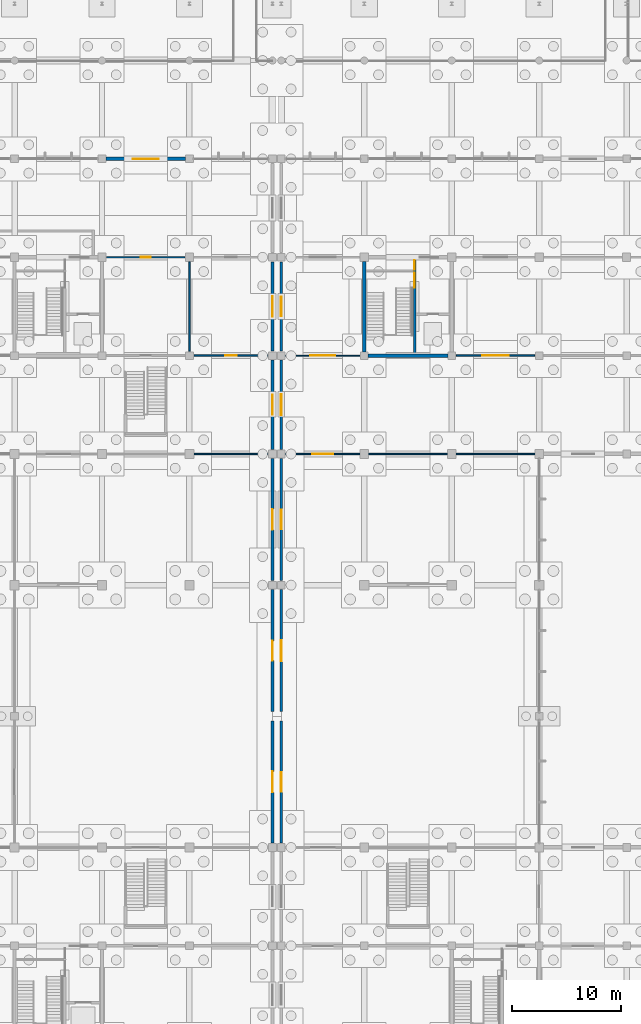
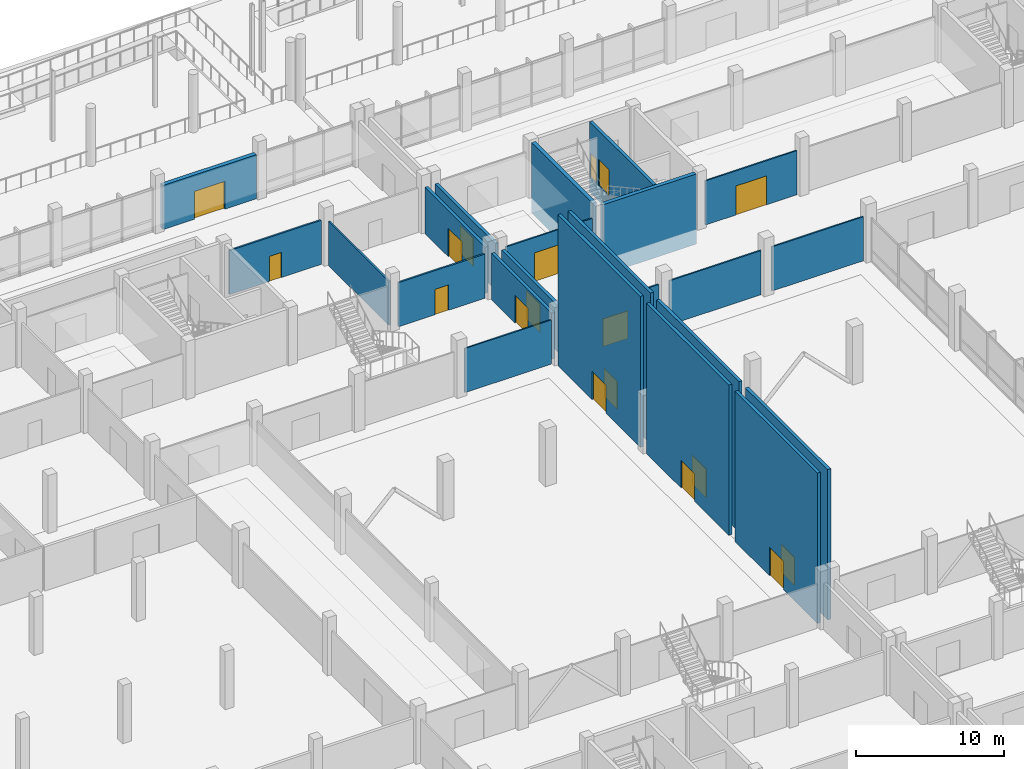
# One storey, part 49 of 72: 23 walls, 18 doors, 18 openings.
"""IFC4 building model written with IfcOpenShell, lengths in metres."""

from ifc_helpers import new_model, si_unit, direction, frame, frame_2d, origin, place, context, subcontext, project, spatial, rectangle, extrude, material, layer, layer_set, type_object, element, fill, save


model = new_model("IFC4")

# Units and contexts
model_context = context("Model", 3, precision=1e-05, world=origin(), true_north=direction((0.0, 1.0)))
body_context = subcontext(model_context, "Body", "Model", "MODEL_VIEW")
ifc_project = project(units=[si_unit("LENGTHUNIT", "METRE"), si_unit("AREAUNIT", "SQUARE_METRE"), si_unit("VOLUMEUNIT", "CUBIC_METRE"), si_unit("PLANEANGLEUNIT", "RADIAN"), si_unit("MASSUNIT", "GRAM", prefix="KILO"), si_unit("THERMODYNAMICTEMPERATUREUNIT", "KELVIN"), si_unit("POWERUNIT", "WATT")], contexts=[model_context])

# Site, building, storey
site_placement = place(None, origin())
site = spatial("IfcSite", under=ifc_project, at=site_placement, CompositionType="ELEMENT")
building_placement = place(site_placement, origin())
building = spatial("IfcBuilding", under=site, at=building_placement, Name="Kronsvod Quay Wholesale Market", CompositionType="ELEMENT")
storey_placement = place(building_placement, origin())
storey = spatial("IfcBuildingStorey", under=building, at=storey_placement, Name="L00", CompositionType="ELEMENT", Elevation=0.0)

# Walls
ifc_material_1 = material(Name="Concrete C35/45", Category="concrete")
ifc_layer_1 = layer(ifc_material_1, 0.300048828125)
ifc_layer_set_1 = layer_set([ifc_layer_1], Name="Concrete C35/45")
wall_type_1 = type_object("IfcWallType", Name="Wall_CoreShear300", PredefinedType="SHEAR", material=ifc_layer_set_1)
wall_1_placement = place(storey_placement, frame((72.344970703125, 99.0, -1.25), z_axis=(0.0, 0.0, 1.0), x_axis=(1.0, 0.0, 0.0)))
element("IfcWall", 1, at=wall_1_placement, inside=storey, type_object=wall_type_1, Name="CW-C08-L00-S", PredefinedType="SHEAR", context=body_context, shape_type="SweptSolid", body=[
    extrude(rectangle(XDim=7.31005859375, YDim=0.300048828125, at=frame_2d((3.655029296875, 0.0))), origin(), (0.0, 0.0, 1.0), 5.804931640625),
])
wall_2_placement = place(storey_placement, frame((72.0, 99.344970703125, -1.25), z_axis=(0.0, 0.0, 1.0), x_axis=(0.0, 1.0, 0.0)))
element("IfcWall", 2, at=wall_2_placement, inside=storey, type_object=wall_type_1, Name="CW-C08-L00-W", PredefinedType="SHEAR", context=body_context, shape_type="SweptSolid", body=[
    extrude(rectangle(XDim=8.284912109375, YDim=0.300048828125, at=frame_2d((4.142578125, 0.0))), origin(), (0.0, 0.0, 1.0), 5.804931640625),
])

# Wall, opening, door
ifc_material_2 = material(Name="Precast concrete C40/50", Category="concrete")
ifc_layer_2 = layer(ifc_material_2, 0.320068359375)
ifc_layer_set_2 = layer_set([ifc_layer_2], Name="Precast concrete C40/50")
wall_type_2 = type_object("IfcWallType", Name="Wall_ExtPrecast320", PredefinedType="SOLIDWALL", material=ifc_layer_set_2)
wall_3_placement = place(storey_placement, frame((55.655029296875, 117.0, 0.0), z_axis=(0.0, 0.0, 1.0), x_axis=(-1.0, 0.0, 0.0)))
wall_3 = element("IfcWall", 3, at=wall_3_placement, inside=storey, type_object=wall_type_2, Name="EW-X-L00-0012", PredefinedType="SOLIDWALL", context=body_context, shape_type="SweptSolid", body=[
    extrude(rectangle(XDim=7.31005859375, YDim=0.320068359375, at=frame_2d((3.655029296875, 0.0))), origin(), (0.0, 0.0, 1.0), 3.64990234375),
])
opening_1_placement = place(wall_3_placement, frame((2.455078125, 0.0, 0.0)))
opening_1 = element("IfcOpeningElement", 4, at=opening_1_placement, cuts=wall_3, Name="Opening ED-010", PredefinedType="OPENING", context=body_context, shape_type="SweptSolid", body=[
    extrude(rectangle(XDim=2.39990234375, YDim=2.300048828125, at=frame_2d((1.199951171875, 1.14990234375))), frame((0.0, 0.169921875, 0.0), z_axis=(0.0, -1.0, 0.0), x_axis=(1.0, 0.0, 0.0)), (0.0, 0.0, 1.0), 0.340087890625),
])
ifc_material_3 = material(Name="Aluminium and safety glass", Category="aluminium")
door_type_1 = type_object("IfcDoorType", Name="Door_ExitDouble240x230", OperationType="DOUBLE_DOOR_SINGLE_SWING", PredefinedType="DOOR", material=ifc_material_3)
door_1_placement = place(opening_1_placement, frame((2.39990234375, 0.0, 0.0), z_axis=(0.0, 0.0, 1.0), x_axis=(-1.0, 0.0, 0.0)))
door_1 = element("IfcDoor", 5, at=door_1_placement, inside=storey, type_object=door_type_1, Name="Harbour Colonnade Exit Door ED-010", OperationType="DOUBLE_DOOR_SINGLE_SWING", OverallHeight=2.300048828125, OverallWidth=2.39990234375, PredefinedType="DOOR", context=body_context, shape_type="SweptSolid", body=[
    extrude(rectangle(XDim=2.39990234375, YDim=2.300048828125, at=frame_2d((1.199951171875, 1.14990234375))), frame((0.0, 0.02490234375, 0.0), z_axis=(0.0, -1.0, 0.0), x_axis=(1.0, 0.0, 0.0)), (0.0, 0.0, 1.0), 0.050048828125),
])
fill(opening_1, door_1)

ifc_material_4 = material(Name="Precast concrete C40/50", Category="concrete")
ifc_layer_3 = layer(ifc_material_4, 0.239990234375)
ifc_layer_set_3 = layer_set([ifc_layer_3], Name="Precast concrete C40/50")
wall_type_3 = type_object("IfcWallType", Name="Wall_ExtSpandrel240", PredefinedType="SOLIDWALL", material=ifc_layer_set_3)
wall_4_placement = place(storey_placement, frame((63.60009765625, 54.419921875, 0.0), z_axis=(0.0, 0.0, 1.0), x_axis=(0.0, 1.0, 0.0)))
wall_4 = element("IfcWall", 6, at=wall_4_placement, inside=storey, type_object=wall_type_3, Name="MJWG-L00-636-540", PredefinedType="SOLIDWALL", context=body_context, shape_type="SweptSolid", body=[
    extrude(rectangle(XDim=11.16015625, YDim=0.239990234375, at=frame_2d((5.580078125, 0.0))), origin(), (0.0, 0.0, 1.0), 12.43408203125),
])
opening_2_placement = place(wall_4_placement, frame((4.6298828125, 0.0, 0.0)))
opening_2 = element("IfcOpeningElement", 7, at=opening_2_placement, cuts=wall_4, Name="Opening D-0317", PredefinedType="OPENING", context=body_context, shape_type="SweptSolid", body=[
    extrude(rectangle(XDim=1.89990234375, YDim=2.35009765625, at=frame_2d((0.949951171875, 1.175048828125))), frame((0.0, 0.1298828125, 0.0), z_axis=(0.0, -1.0, 0.0), x_axis=(1.0, 0.0, 0.0)), (0.0, 0.0, 1.0), 0.260009765625),
])
ifc_material_5 = material(Name="Painted galvanized fire steel", Category="steel")
door_type_2 = type_object("IfcDoorType", Name="Door_FireComp190x235", OperationType="DOUBLE_DOOR_SINGLE_SWING", PredefinedType="DOOR", material=ifc_material_5)
door_2_placement = place(opening_2_placement, origin())
door_2 = element("IfcDoor", 8, at=door_2_placement, inside=storey, type_object=door_type_2, Name="Fire Compartment Door D-0317", OperationType="DOUBLE_DOOR_SINGLE_SWING", OverallHeight=2.35009765625, OverallWidth=1.89990234375, PredefinedType="DOOR", context=body_context, shape_type="SweptSolid", body=[
    extrude(rectangle(XDim=1.89990234375, YDim=2.35009765625, at=frame_2d((0.949951171875, 1.175048828125))), frame((0.0, 0.02490234375, 0.0), z_axis=(0.0, -1.0, 0.0), x_axis=(1.0, 0.0, 0.0)), (0.0, 0.0, 1.0), 0.050048828125),
])
fill(opening_2, door_2)

wall_5_placement = place(storey_placement, frame((63.60009765625, 66.419921875, 0.0), z_axis=(0.0, 0.0, 1.0), x_axis=(0.0, 1.0, 0.0)))
wall_5 = element("IfcWall", 9, at=wall_5_placement, inside=storey, type_object=wall_type_3, Name="MJWG-L00-636-660", PredefinedType="SOLIDWALL", context=body_context, shape_type="SweptSolid", body=[
    extrude(rectangle(XDim=11.16015625, YDim=0.239990234375, at=frame_2d((5.580078125, 0.0))), origin(), (0.0, 0.0, 1.0), 12.43408203125),
])
opening_3_placement = place(wall_5_placement, frame((4.679931640625, 0.0, 0.0)))
opening_3 = element("IfcOpeningElement", 10, at=opening_3_placement, cuts=wall_5, Name="Opening D-0318", PredefinedType="OPENING", context=body_context, shape_type="SweptSolid", body=[
    extrude(rectangle(XDim=1.800048828125, YDim=2.300048828125, at=frame_2d((0.89990234375, 1.14990234375))), frame((0.0, 0.1298828125, 0.0), z_axis=(0.0, -1.0, 0.0), x_axis=(1.0, 0.0, 0.0)), (0.0, 0.0, 1.0), 0.260009765625),
])
ifc_material_6 = material(Name="Painted galvanized fire steel", Category="steel")
door_type_3 = type_object("IfcDoorType", Name="Door_FireComp180x230", OperationType="DOUBLE_DOOR_SINGLE_SWING", PredefinedType="DOOR", material=ifc_material_6)
door_3_placement = place(opening_3_placement, origin())
door_3 = element("IfcDoor", 11, at=door_3_placement, inside=storey, type_object=door_type_3, Name="Fire Compartment Door D-0318", OperationType="DOUBLE_DOOR_SINGLE_SWING", OverallHeight=2.300048828125, OverallWidth=1.800048828125, PredefinedType="DOOR", context=body_context, shape_type="SweptSolid", body=[
    extrude(rectangle(XDim=1.800048828125, YDim=2.300048828125, at=frame_2d((0.89990234375, 1.14990234375))), frame((0.0, 0.02490234375, 0.0), z_axis=(0.0, -1.0, 0.0), x_axis=(1.0, 0.0, 0.0)), (0.0, 0.0, 1.0), 0.050048828125),
])
fill(opening_3, door_3)

wall_6_placement = place(storey_placement, frame((63.60009765625, 78.419921875, 0.0), z_axis=(0.0, 0.0, 1.0), x_axis=(0.0, 1.0, 0.0)))
wall_6 = element("IfcWall", 12, at=wall_6_placement, inside=storey, type_object=wall_type_3, Name="MJWG-L00-636-780", PredefinedType="SOLIDWALL", context=body_context, shape_type="SweptSolid", body=[
    extrude(rectangle(XDim=11.16015625, YDim=0.239990234375, at=frame_2d((5.580078125, 0.0))), origin(), (0.0, 0.0, 1.0), 12.48388671875),
])
opening_4_placement = place(wall_6_placement, frame((4.6298828125, 0.0, 0.0)))
opening_4 = element("IfcOpeningElement", 13, at=opening_4_placement, cuts=wall_6, Name="Opening D-0319", PredefinedType="OPENING", context=body_context, shape_type="SweptSolid", body=[
    extrude(rectangle(XDim=1.89990234375, YDim=2.35009765625, at=frame_2d((0.949951171875, 1.175048828125))), frame((0.0, 0.1298828125, 0.0), z_axis=(0.0, -1.0, 0.0), x_axis=(1.0, 0.0, 0.0)), (0.0, 0.0, 1.0), 0.260009765625),
])
door_4_placement = place(opening_4_placement, origin())
door_4 = element("IfcDoor", 14, at=door_4_placement, inside=storey, type_object=door_type_2, Name="Fire Compartment Door D-0319", OperationType="DOUBLE_DOOR_SINGLE_SWING", OverallHeight=2.35009765625, OverallWidth=1.89990234375, PredefinedType="DOOR", context=body_context, shape_type="SweptSolid", body=[
    extrude(rectangle(XDim=1.89990234375, YDim=2.35009765625, at=frame_2d((0.949951171875, 1.175048828125))), frame((0.0, 0.02490234375, 0.0), z_axis=(0.0, -1.0, 0.0), x_axis=(1.0, 0.0, 0.0)), (0.0, 0.0, 1.0), 0.050048828125),
])
fill(opening_4, door_4)

wall_7_placement = place(storey_placement, frame((63.60009765625, 90.419921875, 0.0), z_axis=(0.0, 0.0, 1.0), x_axis=(0.0, 1.0, 0.0)))
wall_7 = element("IfcWall", 15, at=wall_7_placement, inside=storey, type_object=wall_type_3, Name="MJWG-L00-636-900", PredefinedType="SOLIDWALL", context=body_context, shape_type="SweptSolid", body=[
    extrude(rectangle(XDim=8.16015625, YDim=0.239990234375, at=frame_2d((4.080078125, 0.0))), origin(), (0.0, 0.0, 1.0), 3.820068359375),
])
opening_5_placement = place(wall_7_placement, frame((3.179931640625, 0.0, 0.0)))
opening_5 = element("IfcOpeningElement", 16, at=opening_5_placement, cuts=wall_7, Name="Opening D-0320", PredefinedType="OPENING", context=body_context, shape_type="SweptSolid", body=[
    extrude(rectangle(XDim=1.800048828125, YDim=2.300048828125, at=frame_2d((0.89990234375, 1.14990234375))), frame((0.0, 0.1298828125, 0.0), z_axis=(0.0, -1.0, 0.0), x_axis=(1.0, 0.0, 0.0)), (0.0, 0.0, 1.0), 0.260009765625),
])
door_5_placement = place(opening_5_placement, origin())
door_5 = element("IfcDoor", 17, at=door_5_placement, inside=storey, type_object=door_type_3, Name="Fire Compartment Door D-0320", OperationType="DOUBLE_DOOR_SINGLE_SWING", OverallHeight=2.300048828125, OverallWidth=1.800048828125, PredefinedType="DOOR", context=body_context, shape_type="SweptSolid", body=[
    extrude(rectangle(XDim=1.800048828125, YDim=2.300048828125, at=frame_2d((0.89990234375, 1.14990234375))), frame((0.0, 0.02490234375, 0.0), z_axis=(0.0, -1.0, 0.0), x_axis=(1.0, 0.0, 0.0)), (0.0, 0.0, 1.0), 0.050048828125),
])
fill(opening_5, door_5)

wall_8_placement = place(storey_placement, frame((63.60009765625, 99.419921875, 0.0), z_axis=(0.0, 0.0, 1.0), x_axis=(0.0, 1.0, 0.0)))
wall_8 = element("IfcWall", 18, at=wall_8_placement, inside=storey, type_object=wall_type_3, Name="MJWG-L00-636-990", PredefinedType="SOLIDWALL", context=body_context, shape_type="SweptSolid", body=[
    extrude(rectangle(XDim=8.16015625, YDim=0.239990234375, at=frame_2d((4.080078125, 0.0))), origin(), (0.0, 0.0, 1.0), 3.820068359375),
])
opening_6_placement = place(wall_8_placement, frame((3.1298828125, 0.0, 0.0)))
opening_6 = element("IfcOpeningElement", 19, at=opening_6_placement, cuts=wall_8, Name="Opening D-0321", PredefinedType="OPENING", context=body_context, shape_type="SweptSolid", body=[
    extrude(rectangle(XDim=1.89990234375, YDim=2.35009765625, at=frame_2d((0.949951171875, 1.175048828125))), frame((0.0, 0.1298828125, 0.0), z_axis=(0.0, -1.0, 0.0), x_axis=(1.0, 0.0, 0.0)), (0.0, 0.0, 1.0), 0.260009765625),
])
door_6_placement = place(opening_6_placement, origin())
door_6 = element("IfcDoor", 20, at=door_6_placement, inside=storey, type_object=door_type_2, Name="Fire Compartment Door D-0321", OperationType="DOUBLE_DOOR_SINGLE_SWING", OverallHeight=2.35009765625, OverallWidth=1.89990234375, PredefinedType="DOOR", context=body_context, shape_type="SweptSolid", body=[
    extrude(rectangle(XDim=1.89990234375, YDim=2.35009765625, at=frame_2d((0.949951171875, 1.175048828125))), frame((0.0, 0.02490234375, 0.0), z_axis=(0.0, -1.0, 0.0), x_axis=(1.0, 0.0, 0.0)), (0.0, 0.0, 1.0), 0.050048828125),
])
fill(opening_6, door_6)

wall_9_placement = place(storey_placement, frame((64.39990234375, 54.419921875, 0.0), z_axis=(0.0, 0.0, 1.0), x_axis=(0.0, 1.0, 0.0)))
wall_9 = element("IfcWall", 21, at=wall_9_placement, inside=storey, type_object=wall_type_3, Name="MJWG-L00-644-540", PredefinedType="SOLIDWALL", context=body_context, shape_type="SweptSolid", body=[
    extrude(rectangle(XDim=11.16015625, YDim=0.239990234375, at=frame_2d((5.580078125, 0.0))), origin(), (0.0, 0.0, 1.0), 12.43408203125),
])
opening_7_placement = place(wall_9_placement, frame((4.679931640625, 0.0, 0.0)))
opening_7 = element("IfcOpeningElement", 22, at=opening_7_placement, cuts=wall_9, Name="Opening D-0326", PredefinedType="OPENING", context=body_context, shape_type="SweptSolid", body=[
    extrude(rectangle(XDim=1.800048828125, YDim=2.300048828125, at=frame_2d((0.89990234375, 1.14990234375))), frame((0.0, 0.1298828125, 0.0), z_axis=(0.0, -1.0, 0.0), x_axis=(1.0, 0.0, 0.0)), (0.0, 0.0, 1.0), 0.260009765625),
])
door_7_placement = place(opening_7_placement, origin())
door_7 = element("IfcDoor", 23, at=door_7_placement, inside=storey, type_object=door_type_3, Name="Fire Compartment Door D-0326", OperationType="DOUBLE_DOOR_SINGLE_SWING", OverallHeight=2.300048828125, OverallWidth=1.800048828125, PredefinedType="DOOR", context=body_context, shape_type="SweptSolid", body=[
    extrude(rectangle(XDim=1.800048828125, YDim=2.300048828125, at=frame_2d((0.89990234375, 1.14990234375))), frame((0.0, 0.02490234375, 0.0), z_axis=(0.0, -1.0, 0.0), x_axis=(1.0, 0.0, 0.0)), (0.0, 0.0, 1.0), 0.050048828125),
])
fill(opening_7, door_7)

wall_10_placement = place(storey_placement, frame((64.39990234375, 66.419921875, 0.0), z_axis=(0.0, 0.0, 1.0), x_axis=(0.0, 1.0, 0.0)))
wall_10 = element("IfcWall", 24, at=wall_10_placement, inside=storey, type_object=wall_type_3, Name="MJWG-L00-644-660", PredefinedType="SOLIDWALL", context=body_context, shape_type="SweptSolid", body=[
    extrude(rectangle(XDim=11.16015625, YDim=0.239990234375, at=frame_2d((5.580078125, 0.0))), origin(), (0.0, 0.0, 1.0), 12.43408203125),
])
opening_8_placement = place(wall_10_placement, frame((4.6298828125, 0.0, 0.0)))
opening_8 = element("IfcOpeningElement", 25, at=opening_8_placement, cuts=wall_10, Name="Opening D-0327", PredefinedType="OPENING", context=body_context, shape_type="SweptSolid", body=[
    extrude(rectangle(XDim=1.89990234375, YDim=2.35009765625, at=frame_2d((0.949951171875, 1.175048828125))), frame((0.0, 0.1298828125, 0.0), z_axis=(0.0, -1.0, 0.0), x_axis=(1.0, 0.0, 0.0)), (0.0, 0.0, 1.0), 0.260009765625),
])
door_8_placement = place(opening_8_placement, origin())
door_8 = element("IfcDoor", 26, at=door_8_placement, inside=storey, type_object=door_type_2, Name="Fire Compartment Door D-0327", OperationType="DOUBLE_DOOR_SINGLE_SWING", OverallHeight=2.35009765625, OverallWidth=1.89990234375, PredefinedType="DOOR", context=body_context, shape_type="SweptSolid", body=[
    extrude(rectangle(XDim=1.89990234375, YDim=2.35009765625, at=frame_2d((0.949951171875, 1.175048828125))), frame((0.0, 0.02490234375, 0.0), z_axis=(0.0, -1.0, 0.0), x_axis=(1.0, 0.0, 0.0)), (0.0, 0.0, 1.0), 0.050048828125),
])
fill(opening_8, door_8)

wall_11_placement = place(storey_placement, frame((64.39990234375, 78.419921875, 0.0), z_axis=(0.0, 0.0, 1.0), x_axis=(0.0, 1.0, 0.0)))
wall_11 = element("IfcWall", 27, at=wall_11_placement, inside=storey, type_object=wall_type_3, Name="MJWG-L00-644-780", PredefinedType="SOLIDWALL", context=body_context, shape_type="SweptSolid", body=[
    extrude(rectangle(XDim=11.16015625, YDim=0.239990234375, at=frame_2d((5.580078125, 0.0))), origin(), (0.0, 0.0, 1.0), 12.48388671875),
])
opening_9_placement = place(wall_11_placement, frame((4.679931640625, 0.0, 0.0)))
opening_9 = element("IfcOpeningElement", 28, at=opening_9_placement, cuts=wall_11, Name="Opening D-0328", PredefinedType="OPENING", context=body_context, shape_type="SweptSolid", body=[
    extrude(rectangle(XDim=1.800048828125, YDim=2.300048828125, at=frame_2d((0.89990234375, 1.14990234375))), frame((0.0, 0.1298828125, 0.0), z_axis=(0.0, -1.0, 0.0), x_axis=(1.0, 0.0, 0.0)), (0.0, 0.0, 1.0), 0.260009765625),
])
door_9_placement = place(opening_9_placement, origin())
door_9 = element("IfcDoor", 29, at=door_9_placement, inside=storey, type_object=door_type_3, Name="Fire Compartment Door D-0328", OperationType="DOUBLE_DOOR_SINGLE_SWING", OverallHeight=2.300048828125, OverallWidth=1.800048828125, PredefinedType="DOOR", context=body_context, shape_type="SweptSolid", body=[
    extrude(rectangle(XDim=1.800048828125, YDim=2.300048828125, at=frame_2d((0.89990234375, 1.14990234375))), frame((0.0, 0.02490234375, 0.0), z_axis=(0.0, -1.0, 0.0), x_axis=(1.0, 0.0, 0.0)), (0.0, 0.0, 1.0), 0.050048828125),
])
fill(opening_9, door_9)

wall_12_placement = place(storey_placement, frame((64.39990234375, 90.419921875, 0.0), z_axis=(0.0, 0.0, 1.0), x_axis=(0.0, 1.0, 0.0)))
wall_12 = element("IfcWall", 30, at=wall_12_placement, inside=storey, type_object=wall_type_3, Name="MJWG-L00-644-900", PredefinedType="SOLIDWALL", context=body_context, shape_type="SweptSolid", body=[
    extrude(rectangle(XDim=8.16015625, YDim=0.239990234375, at=frame_2d((4.080078125, 0.0))), origin(), (0.0, 0.0, 1.0), 3.820068359375),
])
opening_10_placement = place(wall_12_placement, frame((3.1298828125, 0.0, 0.0)))
opening_10 = element("IfcOpeningElement", 31, at=opening_10_placement, cuts=wall_12, Name="Opening D-0329", PredefinedType="OPENING", context=body_context, shape_type="SweptSolid", body=[
    extrude(rectangle(XDim=1.89990234375, YDim=2.35009765625, at=frame_2d((0.949951171875, 1.175048828125))), frame((0.0, 0.1298828125, 0.0), z_axis=(0.0, -1.0, 0.0), x_axis=(1.0, 0.0, 0.0)), (0.0, 0.0, 1.0), 0.260009765625),
])
door_10_placement = place(opening_10_placement, origin())
door_10 = element("IfcDoor", 32, at=door_10_placement, inside=storey, type_object=door_type_2, Name="Fire Compartment Door D-0329", OperationType="DOUBLE_DOOR_SINGLE_SWING", OverallHeight=2.35009765625, OverallWidth=1.89990234375, PredefinedType="DOOR", context=body_context, shape_type="SweptSolid", body=[
    extrude(rectangle(XDim=1.89990234375, YDim=2.35009765625, at=frame_2d((0.949951171875, 1.175048828125))), frame((0.0, 0.02490234375, 0.0), z_axis=(0.0, -1.0, 0.0), x_axis=(1.0, 0.0, 0.0)), (0.0, 0.0, 1.0), 0.050048828125),
])
fill(opening_10, door_10)

wall_13_placement = place(storey_placement, frame((64.39990234375, 99.419921875, 0.0), z_axis=(0.0, 0.0, 1.0), x_axis=(0.0, 1.0, 0.0)))
wall_13 = element("IfcWall", 33, at=wall_13_placement, inside=storey, type_object=wall_type_3, Name="MJWG-L00-644-990", PredefinedType="SOLIDWALL", context=body_context, shape_type="SweptSolid", body=[
    extrude(rectangle(XDim=8.16015625, YDim=0.239990234375, at=frame_2d((4.080078125, 0.0))), origin(), (0.0, 0.0, 1.0), 3.820068359375),
])
opening_11_placement = place(wall_13_placement, frame((3.179931640625, 0.0, 0.0)))
opening_11 = element("IfcOpeningElement", 34, at=opening_11_placement, cuts=wall_13, Name="Opening D-0330", PredefinedType="OPENING", context=body_context, shape_type="SweptSolid", body=[
    extrude(rectangle(XDim=1.800048828125, YDim=2.300048828125, at=frame_2d((0.89990234375, 1.14990234375))), frame((0.0, 0.1298828125, 0.0), z_axis=(0.0, -1.0, 0.0), x_axis=(1.0, 0.0, 0.0)), (0.0, 0.0, 1.0), 0.260009765625),
])
door_11_placement = place(opening_11_placement, origin())
door_11 = element("IfcDoor", 35, at=door_11_placement, inside=storey, type_object=door_type_3, Name="Fire Compartment Door D-0330", OperationType="DOUBLE_DOOR_SINGLE_SWING", OverallHeight=2.300048828125, OverallWidth=1.800048828125, PredefinedType="DOOR", context=body_context, shape_type="SweptSolid", body=[
    extrude(rectangle(XDim=1.800048828125, YDim=2.300048828125, at=frame_2d((0.89990234375, 1.14990234375))), frame((0.0, 0.02490234375, 0.0), z_axis=(0.0, -1.0, 0.0), x_axis=(1.0, 0.0, 0.0)), (0.0, 0.0, 1.0), 0.050048828125),
])
fill(opening_11, door_11)

# Wall
ifc_material_7 = material(Name="Double-glazed gallery screen partition", Category="glass")
ifc_layer_4 = layer(ifc_material_7, 0.10791015625)
ifc_layer_set_4 = layer_set([ifc_layer_4], Name="Double-glazed gallery screen partition")
wall_type_4 = type_object("IfcWallType", Name="Wall_PartGlazed108", PredefinedType="PARTITIONING", material=ifc_layer_set_4)
wall_14_placement = place(storey_placement, frame((56.419921875, 90.0, 0.0), z_axis=(0.0, 0.0, 1.0), x_axis=(1.0, 0.0, 0.0)))
element("IfcWall", 36, at=wall_14_placement, inside=storey, type_object=wall_type_4, Name="PW-L00-0091", PredefinedType="PARTITIONING", context=body_context, shape_type="SweptSolid", body=[
    extrude(rectangle(XDim=6.760009765625, YDim=0.10791015625, at=frame_2d((3.3798828125, 0.0))), origin(), (0.0, 0.0, 1.0), 3.64990234375),
])

# Wall, opening, door
wall_15_placement = place(storey_placement, frame((64.820068359375, 99.0, 0.0), z_axis=(0.0, 0.0, 1.0), x_axis=(1.0, 0.0, 0.0)))
wall_15 = element("IfcWall", 37, at=wall_15_placement, inside=storey, type_object=wall_type_4, Name="PW-L00-0130", PredefinedType="PARTITIONING", context=body_context, shape_type="SweptSolid", body=[
    extrude(rectangle(XDim=6.760009765625, YDim=0.10791015625, at=frame_2d((3.3798828125, 0.0))), origin(), (0.0, 0.0, 1.0), 3.64990234375),
])
opening_12_placement = place(wall_15_placement, frame((2.2548828125, 0.0, 0.0)))
opening_12 = element("IfcOpeningElement", 38, at=opening_12_placement, cuts=wall_15, Name="Opening D-0198", PredefinedType="OPENING", context=body_context, shape_type="SweptSolid", body=[
    extrude(rectangle(XDim=2.25, YDim=2.3798828125, at=frame_2d((1.125, 1.18994140625))), frame((0.0, 0.06396484375, 0.0), z_axis=(0.0, -1.0, 0.0), x_axis=(1.0, 0.0, 0.0)), (0.0, 0.0, 1.0), 0.1279296875),
])
ifc_material_8 = material(Name="Glazed aluminium hall portal", Category="aluminium")
door_type_4 = type_object("IfcDoorType", Name="Door_HallPortal225x238", OperationType="DOUBLE_DOOR_SINGLE_SWING", PredefinedType="DOOR", material=ifc_material_8)
door_12_placement = place(opening_12_placement, origin())
door_12 = element("IfcDoor", 39, at=door_12_placement, inside=storey, type_object=door_type_4, Name="Interior Door D-0198", OperationType="DOUBLE_DOOR_SINGLE_SWING", OverallHeight=2.3798828125, OverallWidth=2.25, PredefinedType="DOOR", context=body_context, shape_type="SweptSolid", body=[
    extrude(rectangle(XDim=2.25, YDim=2.3798828125, at=frame_2d((1.125, 1.18994140625))), frame((0.0, 0.02490234375, 0.0), z_axis=(0.0, -1.0, 0.0), x_axis=(1.0, 0.0, 0.0)), (0.0, 0.0, 1.0), 0.050048828125),
])
fill(opening_12, door_12)

ifc_material_9 = material(Name="Framed acoustic glass hall partition", Category="glass")
ifc_layer_5 = layer(ifc_material_9, 0.114990234375)
ifc_layer_set_5 = layer_set([ifc_layer_5], Name="Framed acoustic glass hall partition")
wall_type_5 = type_object("IfcWallType", Name="Wall_PartGlazed115", PredefinedType="PARTITIONING", material=ifc_layer_set_5)
wall_16_placement = place(storey_placement, frame((64.820068359375, 90.0, 0.0), z_axis=(0.0, 0.0, 1.0), x_axis=(1.0, 0.0, 0.0)))
wall_16 = element("IfcWall", 40, at=wall_16_placement, inside=storey, type_object=wall_type_5, Name="PW-L00-0092", PredefinedType="PARTITIONING", context=body_context, shape_type="SweptSolid", body=[
    extrude(rectangle(XDim=6.760009765625, YDim=0.114990234375, at=frame_2d((3.3798828125, 0.0))), origin(), (0.0, 0.0, 1.0), 3.64990234375),
])
opening_13_placement = place(wall_16_placement, frame((2.405029296875, 0.0, 0.0)))
opening_13 = element("IfcOpeningElement", 41, at=opening_13_placement, cuts=wall_16, Name="Opening D-0177", PredefinedType="OPENING", context=body_context, shape_type="SweptSolid", body=[
    extrude(rectangle(XDim=1.949951171875, YDim=2.300048828125, at=frame_2d((0.97509765625, 1.14990234375))), frame((0.0, 0.0673828125, 0.0), z_axis=(0.0, -1.0, 0.0), x_axis=(1.0, 0.0, 0.0)), (0.0, 0.0, 1.0), 0.135009765625),
])
ifc_material_10 = material(Name="Glazed aluminium hall portal", Category="aluminium")
door_type_5 = type_object("IfcDoorType", Name="Door_HallPortal195x230", OperationType="DOUBLE_DOOR_SINGLE_SWING", PredefinedType="DOOR", material=ifc_material_10)
door_13_placement = place(opening_13_placement, origin())
door_13 = element("IfcDoor", 42, at=door_13_placement, inside=storey, type_object=door_type_5, Name="Interior Door D-0177", OperationType="DOUBLE_DOOR_SINGLE_SWING", OverallHeight=2.300048828125, OverallWidth=1.949951171875, PredefinedType="DOOR", context=body_context, shape_type="SweptSolid", body=[
    extrude(rectangle(XDim=1.949951171875, YDim=2.300048828125, at=frame_2d((0.97509765625, 1.14990234375))), frame((0.0, 0.02490234375, 0.0), z_axis=(0.0, -1.0, 0.0), x_axis=(1.0, 0.0, 0.0)), (0.0, 0.0, 1.0), 0.050048828125),
])
fill(opening_13, door_13)

# Walls
for number, where, z_axis, x_axis, name in (
    (43, (72.419921875, 90.0, 0.0), (0.0, 0.0, 1.0), (1.0, 0.0, 0.0), "PW-L00-0093"),
    (44, (80.419921875, 90.0, 0.0), (0.0, 0.0, 1.0), (1.0, 0.0, 0.0), "PW-L00-0094"),
):
    element("IfcWall", number, at=place(storey_placement, frame(where, z_axis=z_axis, x_axis=x_axis)), inside=storey, type_object=wall_type_5, Name=name, PredefinedType="PARTITIONING", context=body_context, shape_type="SweptSolid", body=[
        extrude(rectangle(XDim=7.16015625, YDim=0.114990234375, at=frame_2d((3.580078125, 0.0))), origin(), (0.0, 0.0, 1.0), 3.64990234375),
    ])

# Wall, opening, door
wall_17_placement = place(storey_placement, frame((80.419921875, 99.0, 0.0), z_axis=(0.0, 0.0, 1.0), x_axis=(1.0, 0.0, 0.0)))
wall_17 = element("IfcWall", 45, at=wall_17_placement, inside=storey, type_object=wall_type_5, Name="PW-L00-0131", PredefinedType="PARTITIONING", context=body_context, shape_type="SweptSolid", body=[
    extrude(rectangle(XDim=7.16015625, YDim=0.114990234375, at=frame_2d((3.580078125, 0.0))), origin(), (0.0, 0.0, 1.0), 3.64990234375),
])
opening_14_placement = place(wall_17_placement, frame((2.3798828125, 0.0, 0.0)))
opening_14 = element("IfcOpeningElement", 46, at=opening_14_placement, cuts=wall_17, Name="Opening D-0199", PredefinedType="OPENING", context=body_context, shape_type="SweptSolid", body=[
    extrude(rectangle(XDim=2.39990234375, YDim=2.39990234375, at=frame_2d((1.199951171875, 1.199951171875))), frame((0.0, 0.0673828125, 0.0), z_axis=(0.0, -1.0, 0.0), x_axis=(1.0, 0.0, 0.0)), (0.0, 0.0, 1.0), 0.135009765625),
])
ifc_material_11 = material(Name="Glazed aluminium hall portal", Category="aluminium")
door_type_6 = type_object("IfcDoorType", Name="Door_HallPortal240x240", OperationType="DOUBLE_DOOR_SINGLE_SWING", PredefinedType="DOOR", material=ifc_material_11)
door_14_placement = place(opening_14_placement, origin())
door_14 = element("IfcDoor", 47, at=door_14_placement, inside=storey, type_object=door_type_6, Name="Interior Door D-0199", OperationType="DOUBLE_DOOR_SINGLE_SWING", OverallHeight=2.39990234375, OverallWidth=2.39990234375, PredefinedType="DOOR", context=body_context, shape_type="SweptSolid", body=[
    extrude(rectangle(XDim=2.39990234375, YDim=2.39990234375, at=frame_2d((1.199951171875, 1.199951171875))), frame((0.0, 0.02490234375, 0.0), z_axis=(0.0, -1.0, 0.0), x_axis=(1.0, 0.0, 0.0)), (0.0, 0.0, 1.0), 0.050048828125),
])
fill(opening_14, door_14)

ifc_material_12 = material(Name="Moisture-resistant sanitary block partition", Category="masonry")
ifc_layer_6 = layer(ifc_material_12, 0.135009765625)
ifc_layer_set_6 = layer_set([ifc_layer_6], Name="Moisture-resistant sanitary block partition")
wall_type_6 = type_object("IfcWallType", Name="Wall_PartWet135", PredefinedType="PLUMBINGWALL", material=ifc_layer_set_6)
wall_18_placement = place(storey_placement, frame((56.419921875, 99.0, 0.0), z_axis=(0.0, 0.0, 1.0), x_axis=(1.0, 0.0, 0.0)))
wall_18 = element("IfcWall", 48, at=wall_18_placement, inside=storey, type_object=wall_type_6, Name="PW-L00-0129", PredefinedType="PLUMBINGWALL", context=body_context, shape_type="SweptSolid", body=[
    extrude(rectangle(XDim=6.760009765625, YDim=0.135009765625, at=frame_2d((3.3798828125, 0.0))), origin(), (0.0, 0.0, 1.0), 3.64990234375),
])
opening_15_placement = place(wall_18_placement, frame((2.85498046875, 0.0, 0.0)))
opening_15 = element("IfcOpeningElement", 49, at=opening_15_placement, cuts=wall_18, Name="Opening D-0197", PredefinedType="OPENING", context=body_context, shape_type="SweptSolid", body=[
    extrude(rectangle(XDim=1.050048828125, YDim=2.10009765625, at=frame_2d((0.52490234375, 1.050048828125))), frame((0.0, 0.07763671875, 0.0), z_axis=(0.0, -1.0, 0.0), x_axis=(1.0, 0.0, 0.0)), (0.0, 0.0, 1.0), 0.155029296875),
])
ifc_material_13 = material(Name="Accessible outward-swing laminate door", Category="wood")
door_type_7 = type_object("IfcDoorType", Name="Door_AccWC105x210", OperationType="NOTDEFINED", PredefinedType="DOOR", material=ifc_material_13)
door_15_placement = place(opening_15_placement, origin())
door_15 = element("IfcDoor", 50, at=door_15_placement, inside=storey, type_object=door_type_7, Name="Interior Door D-0197", OperationType="SINGLE_SWING_RIGHT", OverallHeight=2.10009765625, OverallWidth=1.050048828125, PredefinedType="DOOR", context=body_context, shape_type="SweptSolid", body=[
    extrude(rectangle(XDim=1.050048828125, YDim=2.10009765625, at=frame_2d((0.52490234375, 1.050048828125))), frame((0.0, 0.02490234375, 0.0), z_axis=(0.0, -1.0, 0.0), x_axis=(1.0, 0.0, 0.0)), (0.0, 0.0, 1.0), 0.050048828125),
])
fill(opening_15, door_15)

# Wall
wall_19_placement = place(storey_placement, frame((56.0, 99.419921875, 0.0), z_axis=(0.0, 0.0, 1.0), x_axis=(0.0, 1.0, 0.0)))
element("IfcWall", 51, at=wall_19_placement, inside=storey, type_object=wall_type_6, Name="PW-L00-0139", PredefinedType="PLUMBINGWALL", context=body_context, shape_type="SweptSolid", body=[
    extrude(rectangle(XDim=8.16015625, YDim=0.135009765625, at=frame_2d((4.080078125, 0.0))), origin(), (0.0, 0.0, 1.0), 3.64990234375),
])

# Wall, opening, door
wall_20_placement = place(storey_placement, frame((48.419921875, 108.0, 0.0), z_axis=(0.0, 0.0, 1.0), x_axis=(1.0, 0.0, 0.0)))
wall_20 = element("IfcWall", 52, at=wall_20_placement, inside=storey, type_object=wall_type_6, Name="PW-L00-0140", PredefinedType="PLUMBINGWALL", context=body_context, shape_type="SweptSolid", body=[
    extrude(rectangle(XDim=7.16015625, YDim=0.135009765625, at=frame_2d((3.580078125, 0.0))), origin(), (0.0, 0.0, 1.0), 3.64990234375),
])
opening_16_placement = place(wall_20_placement, frame((3.1201171875, 0.0, 0.0)))
opening_16 = element("IfcOpeningElement", 53, at=opening_16_placement, cuts=wall_20, Name="Opening D-0204", PredefinedType="OPENING", context=body_context, shape_type="SweptSolid", body=[
    extrude(rectangle(XDim=0.919921875, YDim=2.080078125, at=frame_2d((0.4599609375, 1.0400390625))), frame((0.0, 0.07763671875, 0.0), z_axis=(0.0, -1.0, 0.0), x_axis=(1.0, 0.0, 0.0)), (0.0, 0.0, 1.0), 0.155029296875),
])
ifc_material_14 = material(Name="Moisture-resistant laminate door", Category="wood")
door_type_8 = type_object("IfcDoorType", Name="Door_WC92x208", OperationType="NOTDEFINED", PredefinedType="DOOR", material=ifc_material_14)
door_16_placement = place(opening_16_placement, origin())
door_16 = element("IfcDoor", 54, at=door_16_placement, inside=storey, type_object=door_type_8, Name="Interior Door D-0204", OperationType="SINGLE_SWING_RIGHT", OverallHeight=2.080078125, OverallWidth=0.919921875, PredefinedType="DOOR", context=body_context, shape_type="SweptSolid", body=[
    extrude(rectangle(XDim=0.919921875, YDim=2.080078125, at=frame_2d((0.4599609375, 1.0400390625))), frame((0.0, 0.02490234375, 0.0), z_axis=(0.0, -1.0, 0.0), x_axis=(1.0, 0.0, 0.0)), (0.0, 0.0, 1.0), 0.050048828125),
])
fill(opening_16, door_16)

# Wall, openings, doors
ifc_material_15 = material(Name="Concrete C35/45", Category="concrete")
ifc_layer_7 = layer(ifc_material_15, 0.239990234375)
ifc_layer_set_7 = layer_set([ifc_layer_7], Name="Concrete C35/45")
wall_type_7 = type_object("IfcWallType", Name="Wall_ShaftWall240", PredefinedType="SHEAR", material=ifc_layer_set_7)
wall_21_placement = place(storey_placement, frame((76.60009765625, 99.179931640625, -1.25), z_axis=(0.0, 0.0, 1.0), x_axis=(0.0, 1.0, 0.0)))
wall_21 = element("IfcWall", 55, at=wall_21_placement, inside=storey, type_object=wall_type_7, Name="CW-C08-L00-DIV", PredefinedType="SHEAR", context=body_context, shape_type="SweptSolid", body=[
    extrude(rectangle(XDim=8.64013671875, YDim=0.239990234375, at=frame_2d((4.320068359375, 0.0))), origin(), (0.0, 0.0, 1.0), 5.804931640625),
])
opening_17_placement = place(wall_21_placement, frame((6.02001953125, 0.0, 1.25)))
opening_17 = element("IfcOpeningElement", 56, at=opening_17_placement, cuts=wall_21, Name="Opening D-0074", PredefinedType="OPENING", context=body_context, shape_type="SweptSolid", body=[
    extrude(rectangle(XDim=1.39990234375, YDim=2.199951171875, at=frame_2d((0.699951171875, 1.10009765625))), frame((0.0, 0.1298828125, 0.0), z_axis=(0.0, -1.0, 0.0), x_axis=(1.0, 0.0, 0.0)), (0.0, 0.0, 1.0), 0.260009765625),
])
opening_18_placement = place(wall_21_placement, frame((7.679931640625, 0.0, 1.25)))
opening_18 = element("IfcOpeningElement", 57, at=opening_18_placement, cuts=wall_21, Name="Opening D-0075", PredefinedType="OPENING", context=body_context, shape_type="SweptSolid", body=[
    extrude(rectangle(XDim=0.8798828125, YDim=2.02001953125, at=frame_2d((0.43994140625, 1.010009765625))), frame((0.0, 0.1298828125, 0.0), z_axis=(0.0, -1.0, 0.0), x_axis=(1.0, 0.0, 0.0)), (0.0, 0.0, 1.0), 0.260009765625),
])
ifc_material_16 = material(Name="Painted galvanized fire steel", Category="steel")
door_type_9 = type_object("IfcDoorType", Name="Door_FireStair140x220", OperationType="NOTDEFINED", PredefinedType="DOOR", material=ifc_material_16)
door_17_placement = place(opening_17_placement, origin())
door_17 = element("IfcDoor", 58, at=door_17_placement, inside=storey, type_object=door_type_9, Name="Stair Fire Door D-0074", OperationType="SINGLE_SWING_LEFT", OverallHeight=2.199951171875, OverallWidth=1.39990234375, PredefinedType="DOOR", context=body_context, shape_type="SweptSolid", body=[
    extrude(rectangle(XDim=1.39990234375, YDim=2.199951171875, at=frame_2d((0.699951171875, 1.10009765625))), frame((0.0, 0.02490234375, 0.0), z_axis=(0.0, -1.0, 0.0), x_axis=(1.0, 0.0, 0.0)), (0.0, 0.0, 1.0), 0.050048828125),
])
fill(opening_17, door_17)
ifc_material_17 = material(Name="Fire-rated steel riser access door", Category="steel")
door_type_10 = type_object("IfcDoorType", Name="Door_Riser88x202", OperationType="NOTDEFINED", PredefinedType="DOOR", material=ifc_material_17)
door_18_placement = place(opening_18_placement, origin())
door_18 = element("IfcDoor", 59, at=door_18_placement, inside=storey, type_object=door_type_10, Name="Service Riser Door D-0075", OperationType="SINGLE_SWING_RIGHT", OverallHeight=2.02001953125, OverallWidth=0.8798828125, PredefinedType="DOOR", context=body_context, shape_type="SweptSolid", body=[
    extrude(rectangle(XDim=0.8798828125, YDim=2.02001953125, at=frame_2d((0.43994140625, 1.010009765625))), frame((0.0, 0.02490234375, 0.0), z_axis=(0.0, -1.0, 0.0), x_axis=(1.0, 0.0, 0.0)), (0.0, 0.0, 1.0), 0.050048828125),
])
fill(opening_18, door_18)

save(model, "model.ifc")
